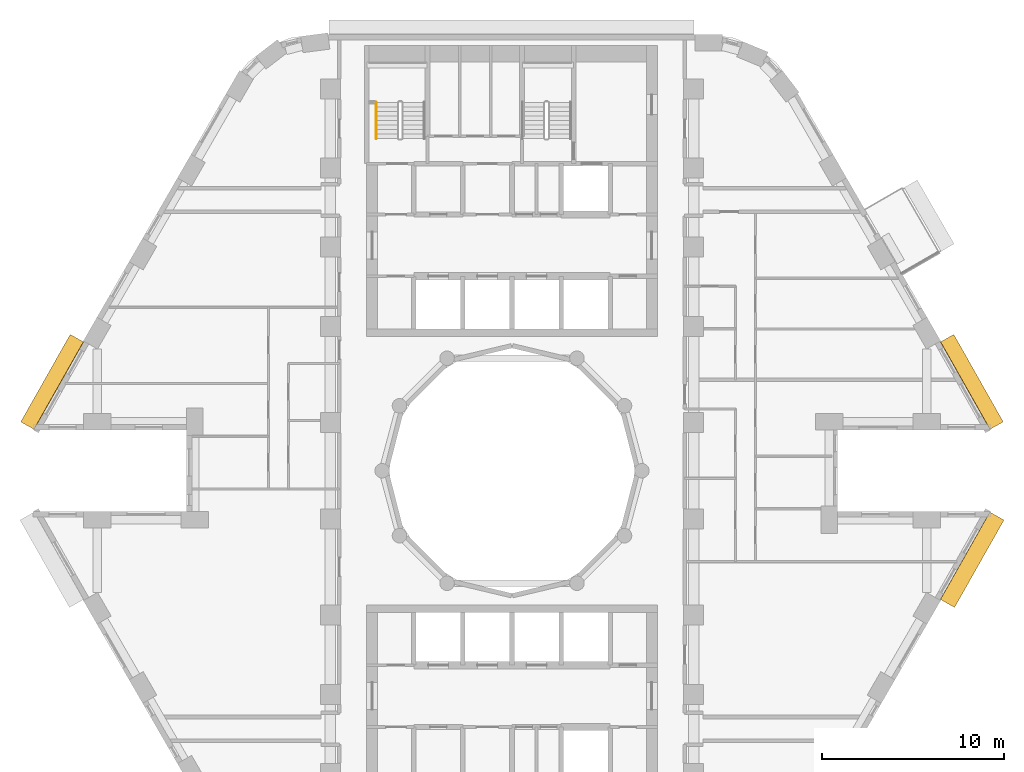
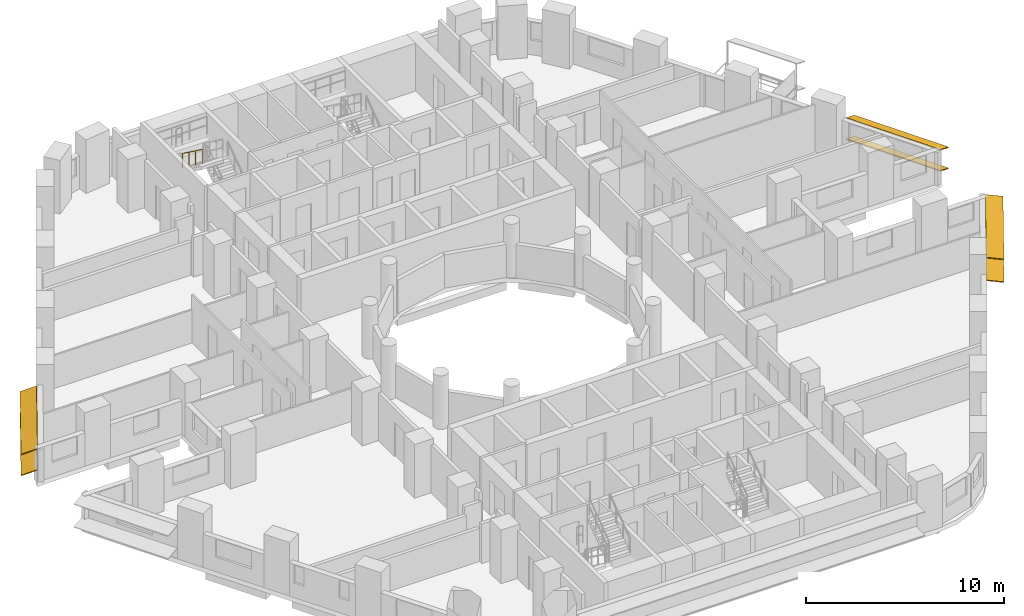
# One storey, part 12 of 13: 6 shading devices, 1 railing.
"""IFC4 building model written with IfcOpenShell, lengths in metres."""

from ifc_helpers import new_model, si_unit, direction, frame, origin, origin_2d, place, context, subcontext, project, spatial, rectangle, circle, extrude, material, material_profile, profile_set, type_object, element, save


model = new_model("IFC4")

# Units and contexts
model_context = context("Model", 3, precision=1e-05, world=origin(), true_north=direction((0.0, 1.0)))
body_context = subcontext(model_context, "Body", "Model", "MODEL_VIEW")
ifc_project = project(units=[si_unit("LENGTHUNIT", "METRE"), si_unit("AREAUNIT", "SQUARE_METRE"), si_unit("VOLUMEUNIT", "CUBIC_METRE"), si_unit("PLANEANGLEUNIT", "RADIAN"), si_unit("MASSUNIT", "GRAM", prefix="KILO")], contexts=[model_context])

# Site, building, storey
site_placement = place(None, origin())
site = spatial("IfcSite", under=ifc_project, at=site_placement, CompositionType="ELEMENT")
building_placement = place(site_placement, origin())
building = spatial("IfcBuilding", under=site, at=building_placement, Name="Nakaniwa Court", CompositionType="ELEMENT")
storey_placement = place(building_placement, frame((0.0, 0.0, 67.800048828125)))
storey = spatial("IfcBuildingStorey", under=building, at=storey_placement, Name="L18", CompositionType="ELEMENT", Elevation=67.800048828125)

# Shading devices
ifc_material_1 = material(Name="Perforated charcoal ceramic louvre blade")
ifc_material_profile = material_profile(ifc_material_1, rectangle(XDim=0.89990234375, YDim=0.050048828125, at=origin_2d()), Name="Perforated ceramic louvre blade")
ifc_profile_set = profile_set([ifc_material_profile], Name="Perforated charcoal ceramic louvre blade")
shading_device_type = type_object("IfcShadingDeviceType", Name="Perforated ceramic louvre blade", PredefinedType="JALOUSIE", material=ifc_profile_set)
for number, where, z_axis, x_axis, name in (
    (1, (106.662353515625, 82.480224609375, 0.550048828125), (-0.492342539441, 0.870401530247, 0.0), (-0.80472628244, -0.455193342019, 0.38107037635), "L18 perforated ceramic louvre blade w02 1"),
    (2, (106.662353515625, 82.480224609375, 1.845458984375), (-0.492342539441, 0.870401530247, 0.0), (-0.80472628244, -0.455193342019, 0.38107037635), "L18 perforated ceramic louvre blade w02 2"),
    (3, (56.05859375, 87.29052734375, 0.550048828125), (-0.492342539441, -0.870401530247, 0.0), (0.80472628244, -0.455193342019, 0.38107037635), "L18 perforated ceramic louvre blade w14 1"),
    (4, (56.05859375, 87.29052734375, 1.845458984375), (-0.492342539441, -0.870401530247, 0.0), (0.80472628244, -0.455193342019, 0.38107037635), "L18 perforated ceramic louvre blade w14 2"),
    (5, (103.962158203125, 72.69775390625, 0.550048828125), (0.492342539441, 0.870401530247, 0.0), (-0.86275552304, 0.488017576221, 0.132256390257), "L18 perforated ceramic louvre blade w32 1"),
    (6, (103.962158203125, 72.69775390625, 1.95556640625), (0.492342539441, 0.870401530247, 0.0), (-0.86275552304, 0.488017576221, 0.132256390257), "L18 perforated ceramic louvre blade w32 2"),
):
    element("IfcShadingDevice", number, at=place(storey_placement, frame(where, z_axis=z_axis, x_axis=x_axis)), inside=storey, type_object=shading_device_type, Name=name, PredefinedType="JALOUSIE", context=body_context, shape_type="SweptSolid", body=[
        extrude(rectangle(XDim=0.89990234375, YDim=0.050048828125, at=origin_2d()), origin(), (0.0, 0.0, 1.0), 5.526611328125),
    ])

# Railing
ifc_material_2 = material(Name="Black powder coated steel handrail", Category="steel")
railing_type = type_object("IfcRailingType", Name="Stair handrail 900", PredefinedType="HANDRAIL", material=ifc_material_2)
railing_placement = place(storey_placement, frame((72.52490234375, 100.27490234375, 1.833251953125)))
element("IfcRailing", 7, at=railing_placement, inside=storey, type_object=railing_type, Name="L18 ST1 stair handrail 2", PredefinedType="HANDRAIL", context=body_context, shape_type="SweptSolid", body=[
    extrude(circle(Radius=0.02392578125, at=origin_2d()), frame((0.0, 0.0, 0.8759765625), z_axis=(0.0, -0.806379959628, 0.591397802423), x_axis=(1.0, 0.0, 0.0)), (0.0, 0.0, 1.0), 2.480224609375),
    extrude(circle(Radius=0.02099609375, at=origin_2d()), origin(), (0.0, 0.0, 1.0), 0.851806640625),
    extrude(circle(Radius=0.02099609375, at=origin_2d()), frame((0.0, -0.666748046875, 0.489013671875)), (0.0, 0.0, 1.0), 0.851806640625),
    extrude(circle(Radius=0.02099609375, at=origin_2d()), frame((0.0, -1.333251953125, 0.977783203125)), (0.0, 0.0, 1.0), 0.851806640625),
    extrude(circle(Radius=0.02099609375, at=origin_2d()), frame((0.0, -2.0, 1.466796875)), (0.0, 0.0, 1.0), 0.851806640625),
])

save(model, "model.ifc")
